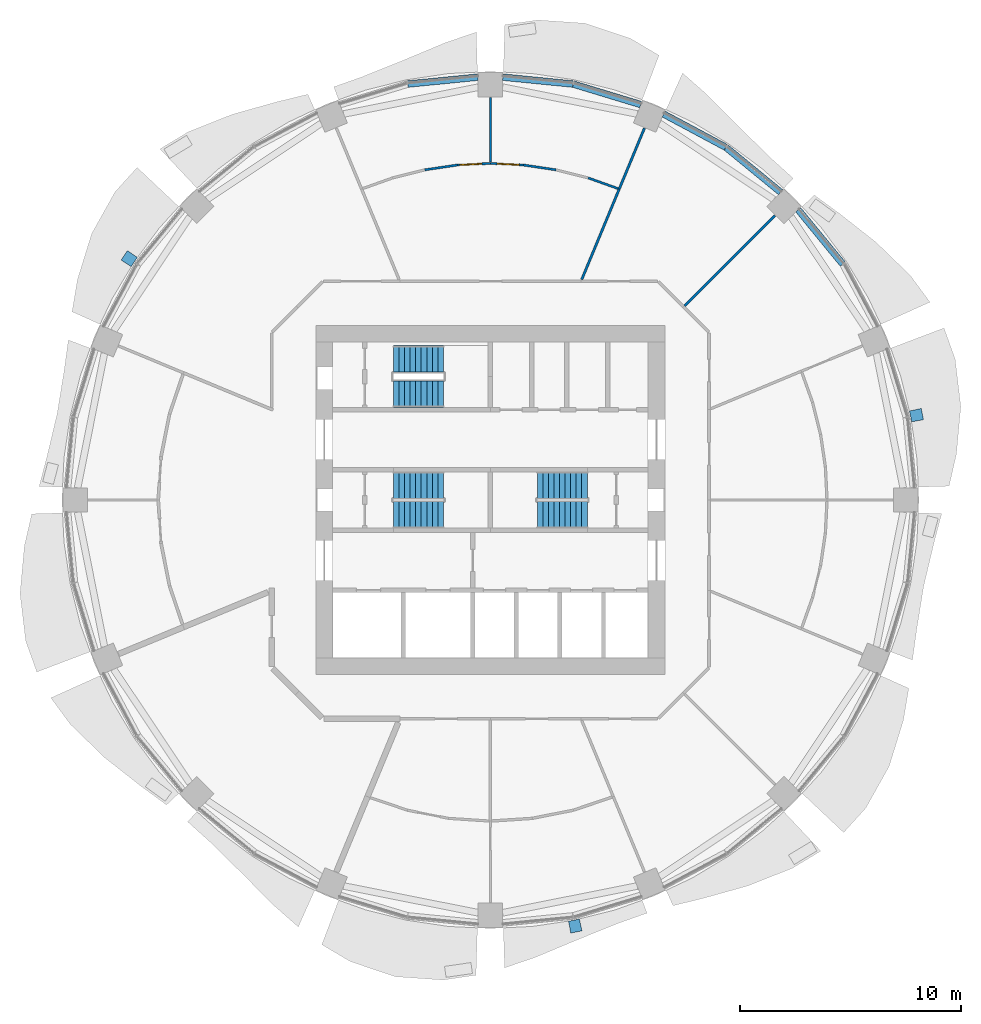
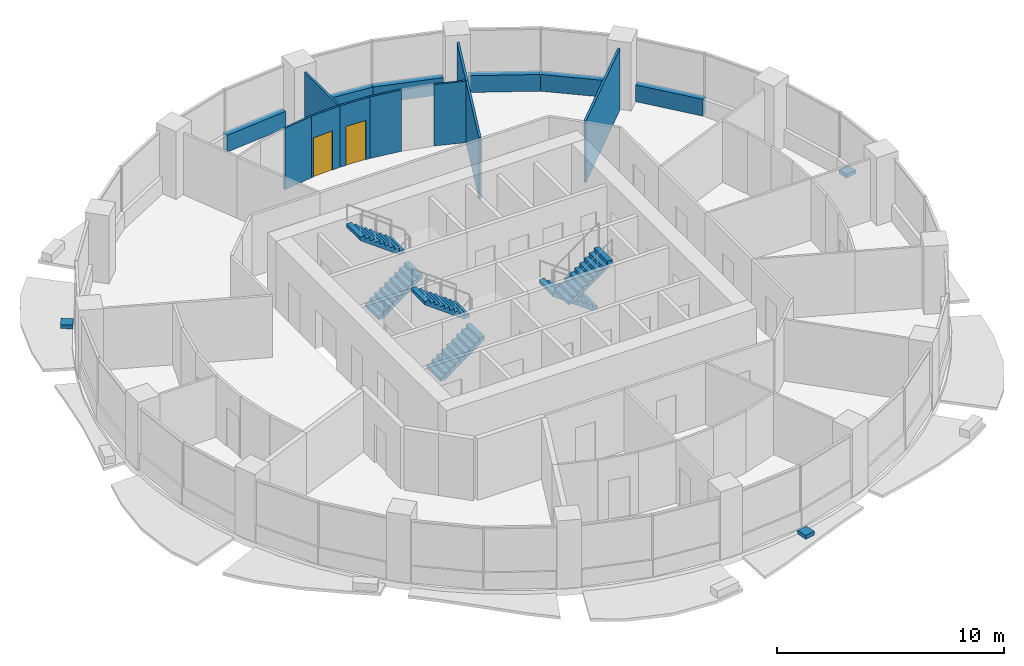
# One storey, part 11 of 15: 15 walls, 6 stair flights, 3 discrete accessories, 2 doors, 2 openings, 3 elements without a shape of their own.
"""IFC4 building model written with IfcOpenShell, lengths in metres."""

from ifc_helpers import new_model, si_unit, direction, frame, frame_2d, origin, place, context, subcontext, project, spatial, polyline, rectangle, outline, extrude, material, layer, layer_set, type_object, element, fill, aggregate, save


model = new_model("IFC4")

# Units and contexts
model_context = context("Model", 3, precision=1e-05, world=origin(), true_north=direction((0.0, 1.0)))
body_context = subcontext(model_context, "Body", "Model", "MODEL_VIEW")
ifc_project = project(units=[si_unit("LENGTHUNIT", "METRE"), si_unit("AREAUNIT", "SQUARE_METRE"), si_unit("VOLUMEUNIT", "CUBIC_METRE"), si_unit("PLANEANGLEUNIT", "RADIAN"), si_unit("MASSUNIT", "GRAM", prefix="KILO")], contexts=[model_context])

# Site, building, storey
site_placement = place(None, origin())
site = spatial("IfcSite", under=ifc_project, at=site_placement, CompositionType="ELEMENT")
building_placement = place(site_placement, origin())
building = spatial("IfcBuilding", under=site, at=building_placement, Name="Polderwave Tower", CompositionType="ELEMENT")
storey_placement = place(building_placement, frame((0.0, 0.0, 83.699951171875)))
storey = spatial("IfcBuildingStorey", under=building, at=storey_placement, Name="L21", CompositionType="ELEMENT", Elevation=83.699951171875)

# Walls
ifc_material_1 = material(Name="Concrete C50/60 (board-marked)", Category="concrete")
ifc_layer_1 = layer(ifc_material_1, 0.300048828125)
ifc_layer_set_1 = layer_set([ifc_layer_1], Name="Concrete spandrel upstand C50/60")
wall_type_1 = type_object("IfcWallType", Name="Concrete spandrel upstand C50/60", PredefinedType="SOLIDWALL", material=ifc_layer_set_1)
for number, where, z_axis, x_axis, name in (
    (1, (15.91259765625, 10.650634765625, 0.0), (0.0, 0.0, 1.0), (-0.634238779555, 0.773137226182, 0.0), "Spandrel L21 2b"),
    (2, (13.103515625, 13.900390625, 0.0), (0.0, 0.0, 1.0), (-0.773137226182, 0.634238779555, 0.0), "Spandrel L21 3a"),
):
    element("IfcWall", number, at=place(storey_placement, frame(where, z_axis=z_axis, x_axis=x_axis)), inside=storey, type_object=wall_type_1, Name=name, PredefinedType="SOLIDWALL", context=body_context, shape_type="SweptSolid", body=[
        extrude(rectangle(XDim=3.172607421875, YDim=0.300048828125, at=frame_2d((1.58642578125, 0.0))), origin(), (0.0, 0.0, 1.0), 0.900146484375),
    ])
wall_1_placement = place(storey_placement, frame((10.625732421875, 15.92919921875, 0.0), z_axis=(0.0, 0.0, 1.0), x_axis=(-0.88188808669, 0.471458802606, 0.0)))
element("IfcWall", 3, at=wall_1_placement, inside=storey, type_object=wall_type_1, Name="Spandrel L21 3b", PredefinedType="SOLIDWALL", context=body_context, shape_type="SweptSolid", body=[
    extrude(rectangle(XDim=3.17236328125, YDim=0.300048828125, at=frame_2d((1.586181640625, 0.0))), origin(), (0.0, 0.0, 1.0), 0.900146484375),
])
wall_2_placement = place(storey_placement, frame((6.78662109375, 17.8564453125, 0.0), z_axis=(0.0, 0.0, 1.0), x_axis=(-0.956927923582, 0.290325591482, 0.0)))
element("IfcWall", 4, at=wall_2_placement, inside=storey, type_object=wall_type_1, Name="Spandrel L21 4a", PredefinedType="SOLIDWALL", context=body_context, shape_type="SweptSolid", body=[
    extrude(rectangle(XDim=3.1728515625, YDim=0.300048828125, at=frame_2d((1.58642578125, 0.0))), origin(), (0.0, 0.0, 1.0), 0.900146484375),
])
for number, where, z_axis, x_axis, name in (
    (5, (3.72119140625, 18.783447265625, 0.0), (0.0, 0.0, 1.0), (-0.995182405567, 0.098040704044, 0.0), "Spandrel L21 4b"),
    (6, (-0.56396484375, 19.094482421875, 0.0), (0.0, 0.0, 1.0), (-0.995182405567, -0.098040704044, 0.0), "Spandrel L21 5a"),
):
    element("IfcWall", number, at=place(storey_placement, frame(where, z_axis=z_axis, x_axis=x_axis)), inside=storey, type_object=wall_type_1, Name=name, PredefinedType="SOLIDWALL", context=body_context, shape_type="SweptSolid", body=[
        extrude(rectangle(XDim=3.172607421875, YDim=0.300048828125, at=frame_2d((1.58642578125, 0.0))), origin(), (0.0, 0.0, 1.0), 0.900146484375),
    ])

# Wall, opening, door
ifc_material_2 = material(Name="Plasterboard on steel studs", Category="steel")
ifc_layer_2 = layer(ifc_material_2, 0.10009765625)
ifc_layer_set_2 = layer_set([ifc_layer_2], Name="Partition 100 mm plasterboard on steel studs")
wall_type_2 = type_object("IfcWallType", Name="Partition 100 mm plasterboard on steel studs", PredefinedType="PARTITIONING", material=ifc_layer_set_2)
wall_3_placement = place(storey_placement, frame((0.0, 15.199951171875, 0.0), z_axis=(0.0, 0.0, 1.0), x_axis=(0.998797711146, -0.049021752402, 0.0)))
wall_3 = element("IfcWall", 7, at=wall_3_placement, inside=storey, type_object=wall_type_2, Name="IN-L21-W033", PredefinedType="PARTITIONING", context=body_context, shape_type="SweptSolid", body=[
    extrude(rectangle(XDim=1.489013671875, YDim=0.10009765625, at=frame_2d((0.74462890625, 0.0))), origin(), (0.0, 0.0, 1.0), 3.300048828125),
])
opening_1_placement = place(wall_3_placement, frame((0.300048828125, 0.0, 0.0)))
opening_1 = element("IfcOpeningElement", 8, at=opening_1_placement, cuts=wall_3, Name="Opening L21-D62", PredefinedType="OPENING", context=body_context, shape_type="SweptSolid", body=[
    extrude(rectangle(XDim=1.0, YDim=2.10009765625, at=frame_2d((0.5, 1.050048828125))), frame((0.0, 0.06005859375, 0.0), z_axis=(0.0, -1.0, 0.0), x_axis=(1.0, 0.0, 0.0)), (0.0, 0.0, 1.0), 0.1201171875),
])
ifc_material_3 = material(Name="Timber veneer door leaf", Category="wood")
door_type = type_object("IfcDoorType", Name="Single door 1000 x 2100", OperationType="NOTDEFINED", PredefinedType="DOOR", material=ifc_material_3)
door_1_placement = place(opening_1_placement, origin())
door_1 = element("IfcDoor", 9, at=door_1_placement, inside=storey, type_object=door_type, Name="Door L21-D62", OperationType="SINGLE_SWING_RIGHT", OverallHeight=2.10009765625, OverallWidth=1.0, PredefinedType="DOOR", context=body_context, shape_type="SweptSolid", body=[
    extrude(rectangle(XDim=1.0, YDim=2.10009765625, at=frame_2d((0.5, 1.050048828125))), frame((0.0, 0.02490234375, 0.0), z_axis=(0.0, -1.0, 0.0), x_axis=(1.0, 0.0, 0.0)), (0.0, 0.0, 1.0), 0.050048828125),
])
fill(opening_1, door_1)

# Walls
wall_4_placement = place(storey_placement, frame((2.962890625, 14.908203125, 0.0), z_axis=(0.0, 0.0, 1.0), x_axis=(-0.989166402168, 0.146798599525, 0.0)))
element("IfcWall", 10, at=wall_4_placement, inside=storey, type_object=wall_type_2, Name="IN-L21-W034", PredefinedType="PARTITIONING", context=body_context, shape_type="SweptSolid", body=[
    extrude(rectangle(XDim=1.48681640625, YDim=0.10009765625, at=frame_2d((0.743408203125, 0.0))), origin(), (0.0, 0.0, 1.0), 3.300048828125),
])
wall_5_placement = place(storey_placement, frame((5.7626953125, 14.0625, 0.0), z_axis=(0.0, 0.0, 1.0), x_axis=(-0.941587499657, 0.33676843749, 0.0)))
element("IfcWall", 11, at=wall_5_placement, inside=storey, type_object=wall_type_2, Name="IN-L21-W036", PredefinedType="PARTITIONING", context=body_context, shape_type="SweptSolid", body=[
    extrude(rectangle(XDim=1.431884765625, YDim=0.10009765625, at=frame_2d((0.7158203125, 0.0))), origin(), (0.0, 0.0, 1.0), 3.300048828125),
])
wall_6_placement = place(storey_placement, frame((0.0, 15.25244140625, 0.0), z_axis=(0.0, 0.0, 1.0), x_axis=(0.0, 1.0, 0.0)))
element("IfcWall", 12, at=wall_6_placement, inside=storey, type_object=wall_type_2, Name="IN-L21-W037", PredefinedType="PARTITIONING", context=body_context, shape_type="SweptSolid", body=[
    extrude(rectangle(XDim=2.91748046875, YDim=0.10009765625, at=frame_2d((1.458740234375, 0.0))), origin(), (0.0, 0.0, 1.0), 3.300048828125),
])
wall_7_placement = place(storey_placement, frame((-2.962890625, 14.908203125, 0.0), z_axis=(0.0, 0.0, 1.0), x_axis=(0.989166402168, 0.146798599525, 0.0)))
element("IfcWall", 13, at=wall_7_placement, inside=storey, type_object=wall_type_2, Name="IN-L21-W040", PredefinedType="PARTITIONING", context=body_context, shape_type="SweptSolid", body=[
    extrude(rectangle(XDim=1.48681640625, YDim=0.10009765625, at=frame_2d((0.743408203125, 0.0))), origin(), (0.0, 0.0, 1.0), 3.300048828125),
])

# Wall, opening, door
wall_8_placement = place(storey_placement, frame((-1.4873046875, 15.126953125, 0.0), z_axis=(0.0, 0.0, 1.0), x_axis=(0.998797711146, 0.049021752402, 0.0)))
wall_8 = element("IfcWall", 14, at=wall_8_placement, inside=storey, type_object=wall_type_2, Name="IN-L21-W041", PredefinedType="PARTITIONING", context=body_context, shape_type="SweptSolid", body=[
    extrude(rectangle(XDim=1.489013671875, YDim=0.10009765625, at=frame_2d((0.74462890625, 0.0))), origin(), (0.0, 0.0, 1.0), 3.300048828125),
])
opening_2_placement = place(wall_8_placement, frame((0.10009765625, 0.0, 0.0)))
opening_2 = element("IfcOpeningElement", 15, at=opening_2_placement, cuts=wall_8, Name="Opening L21-D63", PredefinedType="OPENING", context=body_context, shape_type="SweptSolid", body=[
    extrude(rectangle(XDim=1.0, YDim=2.10009765625, at=frame_2d((0.5, 1.050048828125))), frame((0.0, 0.06005859375, 0.0), z_axis=(0.0, -1.0, 0.0), x_axis=(1.0, 0.0, 0.0)), (0.0, 0.0, 1.0), 0.1201171875),
])
door_2_placement = place(opening_2_placement, origin())
door_2 = element("IfcDoor", 16, at=door_2_placement, inside=storey, type_object=door_type, Name="Door L21-D63", OperationType="SINGLE_SWING_LEFT", OverallHeight=2.10009765625, OverallWidth=1.0, PredefinedType="DOOR", context=body_context, shape_type="SweptSolid", body=[
    extrude(rectangle(XDim=1.0, YDim=2.10009765625, at=frame_2d((0.5, 1.050048828125))), frame((0.0, 0.02490234375, 0.0), z_axis=(0.0, -1.0, 0.0), x_axis=(1.0, 0.0, 0.0)), (0.0, 0.0, 1.0), 0.050048828125),
])
fill(opening_2, door_2)

# Walls
ifc_material_4 = material(Name="Acoustic double plasterboard on steel studs", Category="steel")
ifc_layer_3 = layer(ifc_material_4, 0.110107421875)
ifc_layer_set_3 = layer_set([ifc_layer_3], Name="Partition 110 mm acoustic double board")
wall_type_3 = type_object("IfcWallType", Name="Partition 110 mm acoustic double board", PredefinedType="PARTITIONING", material=ifc_layer_set_3)
wall_9_placement = place(storey_placement, frame((12.84814453125, 12.84814453125, 0.0), z_axis=(0.0, 0.0, 1.0), x_axis=(-0.707106781187, -0.707106781187, 0.0)))
element("IfcWall", 17, at=wall_9_placement, inside=storey, type_object=wall_type_3, Name="IN-L21-W030", PredefinedType="PARTITIONING", context=body_context, shape_type="SweptSolid", body=[
    extrude(rectangle(XDim=5.772216796875, YDim=0.110107421875, at=frame_2d((2.88623046875, 0.0))), origin(), (0.0, 0.0, 1.0), 3.300048828125),
])
wall_10_placement = place(storey_placement, frame((5.81689453125, 14.04296875, 0.0), z_axis=(0.0, 0.0, 1.0), x_axis=(0.382659139036, 0.923889594764, 0.0)))
element("IfcWall", 18, at=wall_10_placement, inside=storey, type_object=wall_type_3, Name="IN-L21-W031", PredefinedType="PARTITIONING", context=body_context, shape_type="SweptSolid", body=[
    extrude(rectangle(XDim=2.969970703125, YDim=0.110107421875, at=frame_2d((1.48486328125, 0.0))), origin(), (0.0, 0.0, 1.0), 3.300048828125),
])
wall_11_placement = place(storey_placement, frame((4.12451171875, 9.95751953125, 0.0), z_axis=(0.0, 0.0, 1.0), x_axis=(0.382709362011, 0.923868791674, 0.0)))
element("IfcWall", 19, at=wall_11_placement, inside=storey, type_object=wall_type_3, Name="IN-L21-W032", PredefinedType="PARTITIONING", context=body_context, shape_type="SweptSolid", body=[
    extrude(rectangle(XDim=4.422119140625, YDim=0.110107421875, at=frame_2d((2.2109375, 0.0))), origin(), (0.0, 0.0, 1.0), 3.300048828125),
])

# Stair, stair flights
ifc_material_5 = material(Name="Concrete C40/50", Category="concrete")
stair_type = type_object("IfcStairType", Name="Exit stair 1200 x 20 risers", PredefinedType="HALF_TURN_STAIR", material=ifc_material_5)
stair_1_placement = place(storey_placement, origin())
stair_1 = element("IfcStair", 20, at=stair_1_placement, inside=storey, type_object=stair_type, Name="L21 Exit stair A", PredefinedType="HALF_TURN_STAIR")
stair_flight_type = type_object("IfcStairFlightType", Name="Stair flight 1200", PredefinedType="STRAIGHT", material=ifc_material_5)
stair_flight_1_placement = place(storey_placement, frame((-4.3740234375, -0.675048828125, 0.0), z_axis=(0.0, 0.0, 1.0), x_axis=(1.0, 0.0, 0.0)))
stair_flight_1 = element("IfcStairFlight", 21, at=stair_flight_1_placement, type_object=stair_flight_type, Name="ST-A flight 1", NumberOfRisers=10, NumberOfTreads=9, PredefinedType="STRAIGHT", RiserHeight=0.1825, TreadLength=0.25, context=body_context, shape_type="SweptSolid", body=[
    extrude(outline(polyline([(0.0, 0.0), (0.0, 0.1826171875), (0.25, 0.1826171875), (0.25, 0.364990234375), (0.5, 0.364990234375), (0.5, 0.547607421875), (0.75, 0.547607421875), (0.75, 0.72998046875), (1.0, 0.72998046875), (1.0, 0.91259765625), (1.25, 0.91259765625), (1.25, 1.094970703125), (1.5, 1.094970703125), (1.5, 1.277587890625), (1.75, 1.277587890625), (1.75, 1.4599609375), (2.0, 1.4599609375), (2.0, 1.642578125), (2.25, 1.642578125), (2.25, 1.824951171875), (2.25, 1.456787109375), (0.254150390625, 0.0), (0.0, 0.0)])), frame((0.0, 0.60009765625, 0.0), z_axis=(0.0, -1.0, 0.0), x_axis=(1.0, 0.0, 0.0)), (0.0, 0.0, 1.0), 1.199951171875),
])
stair_flight_2_placement = place(storey_placement, frame((-2.1240234375, 0.675048828125, 1.824951171875), z_axis=(0.0, 0.0, 1.0), x_axis=(-1.0, 0.0, 0.0)))
stair_flight_2 = element("IfcStairFlight", 22, at=stair_flight_2_placement, type_object=stair_flight_type, Name="ST-A flight 2", NumberOfRisers=10, NumberOfTreads=9, PredefinedType="STRAIGHT", RiserHeight=0.1825, TreadLength=0.25, context=body_context, shape_type="SweptSolid", body=[
    extrude(outline(polyline([(0.0, 0.0), (0.0, 0.1826171875), (0.25, 0.1826171875), (0.25, 0.364990234375), (0.5, 0.364990234375), (0.5, 0.547607421875), (0.75, 0.547607421875), (0.75, 0.72998046875), (1.0, 0.72998046875), (1.0, 0.91259765625), (1.25, 0.91259765625), (1.25, 1.094970703125), (1.5, 1.094970703125), (1.5, 1.277587890625), (1.75, 1.277587890625), (1.75, 1.4599609375), (2.0, 1.4599609375), (2.0, 1.642578125), (2.25, 1.642578125), (2.25, 1.824951171875), (2.25, 1.456787109375), (0.254150390625, 0.0), (0.0, 0.0)])), frame((0.0, 0.60009765625, 0.0), z_axis=(0.0, -1.0, 0.0), x_axis=(1.0, 0.0, 0.0)), (0.0, 0.0, 1.0), 1.199951171875),
])
aggregate(stair_1, [stair_flight_1, stair_flight_2])

stair_2_placement = place(storey_placement, origin())
stair_2 = element("IfcStair", 23, at=stair_2_placement, inside=storey, type_object=stair_type, Name="L21 Exit stair B", PredefinedType="HALF_TURN_STAIR")
stair_flight_3_placement = place(storey_placement, frame((4.3740234375, 0.675048828125, 0.0), z_axis=(0.0, 0.0, 1.0), x_axis=(-1.0, 0.0, 0.0)))
stair_flight_3 = element("IfcStairFlight", 24, at=stair_flight_3_placement, type_object=stair_flight_type, Name="ST-B flight 1", NumberOfRisers=10, NumberOfTreads=9, PredefinedType="STRAIGHT", RiserHeight=0.1825, TreadLength=0.25, context=body_context, shape_type="SweptSolid", body=[
    extrude(outline(polyline([(0.0, 0.0), (0.0, 0.1826171875), (0.25, 0.1826171875), (0.25, 0.364990234375), (0.5, 0.364990234375), (0.5, 0.547607421875), (0.75, 0.547607421875), (0.75, 0.72998046875), (1.0, 0.72998046875), (1.0, 0.91259765625), (1.25, 0.91259765625), (1.25, 1.094970703125), (1.5, 1.094970703125), (1.5, 1.277587890625), (1.75, 1.277587890625), (1.75, 1.4599609375), (2.0, 1.4599609375), (2.0, 1.642578125), (2.25, 1.642578125), (2.25, 1.824951171875), (2.25, 1.456787109375), (0.254150390625, 0.0), (0.0, 0.0)])), frame((0.0, 0.60009765625, 0.0), z_axis=(0.0, -1.0, 0.0), x_axis=(1.0, 0.0, 0.0)), (0.0, 0.0, 1.0), 1.199951171875),
])
stair_flight_4_placement = place(storey_placement, frame((2.1240234375, -0.675048828125, 1.824951171875), z_axis=(0.0, 0.0, 1.0), x_axis=(1.0, 0.0, 0.0)))
stair_flight_4 = element("IfcStairFlight", 25, at=stair_flight_4_placement, type_object=stair_flight_type, Name="ST-B flight 2", NumberOfRisers=10, NumberOfTreads=9, PredefinedType="STRAIGHT", RiserHeight=0.1825, TreadLength=0.25, context=body_context, shape_type="SweptSolid", body=[
    extrude(outline(polyline([(0.0, 0.0), (0.0, 0.1826171875), (0.25, 0.1826171875), (0.25, 0.364990234375), (0.5, 0.364990234375), (0.5, 0.547607421875), (0.75, 0.547607421875), (0.75, 0.72998046875), (1.0, 0.72998046875), (1.0, 0.91259765625), (1.25, 0.91259765625), (1.25, 1.094970703125), (1.5, 1.094970703125), (1.5, 1.277587890625), (1.75, 1.277587890625), (1.75, 1.4599609375), (2.0, 1.4599609375), (2.0, 1.642578125), (2.25, 1.642578125), (2.25, 1.824951171875), (2.25, 1.456787109375), (0.254150390625, 0.0), (0.0, 0.0)])), frame((0.0, 0.60009765625, 0.0), z_axis=(0.0, -1.0, 0.0), x_axis=(1.0, 0.0, 0.0)), (0.0, 0.0, 1.0), 1.199951171875),
])
aggregate(stair_2, [stair_flight_3, stair_flight_4])

stair_3_placement = place(storey_placement, origin())
stair_3 = element("IfcStair", 26, at=stair_3_placement, inside=storey, type_object=stair_type, Name="L21 Exit stair C", PredefinedType="HALF_TURN_STAIR")
stair_flight_5_placement = place(storey_placement, frame((-4.3740234375, 4.77392578125, 0.0), z_axis=(0.0, 0.0, 1.0), x_axis=(1.0, 0.0, 0.0)))
stair_flight_5 = element("IfcStairFlight", 27, at=stair_flight_5_placement, type_object=stair_flight_type, Name="ST-C flight 1", NumberOfRisers=10, NumberOfTreads=9, PredefinedType="STRAIGHT", RiserHeight=0.1825, TreadLength=0.25, context=body_context, shape_type="SweptSolid", body=[
    extrude(outline(polyline([(0.0, 0.0), (0.0, 0.1826171875), (0.25, 0.1826171875), (0.25, 0.364990234375), (0.5, 0.364990234375), (0.5, 0.547607421875), (0.75, 0.547607421875), (0.75, 0.72998046875), (1.0, 0.72998046875), (1.0, 0.91259765625), (1.25, 0.91259765625), (1.25, 1.094970703125), (1.5, 1.094970703125), (1.5, 1.277587890625), (1.75, 1.277587890625), (1.75, 1.4599609375), (2.0, 1.4599609375), (2.0, 1.642578125), (2.25, 1.642578125), (2.25, 1.824951171875), (2.25, 1.456787109375), (0.254150390625, 0.0), (0.0, 0.0)])), frame((0.0, 0.60009765625, 0.0), z_axis=(0.0, -1.0, 0.0), x_axis=(1.0, 0.0, 0.0)), (0.0, 0.0, 1.0), 1.199951171875),
])
stair_flight_6_placement = place(storey_placement, frame((-2.1240234375, 6.3740234375, 1.824951171875), z_axis=(0.0, 0.0, 1.0), x_axis=(-1.0, 0.0, 0.0)))
stair_flight_6 = element("IfcStairFlight", 28, at=stair_flight_6_placement, type_object=stair_flight_type, Name="ST-C flight 2", NumberOfRisers=10, NumberOfTreads=9, PredefinedType="STRAIGHT", RiserHeight=0.1825, TreadLength=0.25, context=body_context, shape_type="SweptSolid", body=[
    extrude(outline(polyline([(0.0, 0.0), (0.0, 0.1826171875), (0.25, 0.1826171875), (0.25, 0.364990234375), (0.5, 0.364990234375), (0.5, 0.547607421875), (0.75, 0.547607421875), (0.75, 0.72998046875), (1.0, 0.72998046875), (1.0, 0.91259765625), (1.25, 0.91259765625), (1.25, 1.094970703125), (1.5, 1.094970703125), (1.5, 1.277587890625), (1.75, 1.277587890625), (1.75, 1.4599609375), (2.0, 1.4599609375), (2.0, 1.642578125), (2.25, 1.642578125), (2.25, 1.824951171875), (2.25, 1.456787109375), (0.254150390625, 0.0), (0.0, 0.0)])), frame((0.0, 0.60009765625, 0.0), z_axis=(0.0, -1.0, 0.0), x_axis=(1.0, 0.0, 0.0)), (0.0, 0.0, 1.0), 1.199951171875),
])
aggregate(stair_3, [stair_flight_5, stair_flight_6])

# Discrete accessories
ifc_material_6 = material(Name="Steel S355", Category="steel")
discrete_accessory_type = type_object("IfcDiscreteAccessoryType", Name="Band bracket pad", PredefinedType="BRACKET", material=ifc_material_6)
discrete_accessory_1_placement = place(storey_placement, frame((0.0, 0.0, -0.199951171875)))
element("IfcDiscreteAccessory", 29, at=discrete_accessory_1_placement, inside=storey, type_object=discrete_accessory_type, Name="Band bracket L21 1", PredefinedType="BRACKET", context=body_context, shape_type="SweptSolid", body=[
    extrude(outline(polyline([(19.014892578125, 3.527587890625), (18.978271484375, 3.77490234375), (18.91748046875, 4.017578125), (19.45556640625, 4.1318359375), (19.5556640625, 3.6279296875), (19.014892578125, 3.527587890625)])), origin(), (0.0, 0.0, 1.0), 0.199951171875),
])
discrete_accessory_2_placement = place(storey_placement, frame((0.0, 0.0, -0.199951171875)))
element("IfcDiscreteAccessory", 30, at=discrete_accessory_2_placement, inside=storey, type_object=discrete_accessory_type, Name="Band bracket L21 7", PredefinedType="BRACKET", context=body_context, shape_type="SweptSolid", body=[
    extrude(outline(polyline([(-15.93994140625, 10.951171875), (-16.0888671875, 10.750244140625), (-16.217529296875, 10.535888671875), (-16.6787109375, 10.83544921875), (-16.393310546875, 11.262451171875), (-15.93994140625, 10.951171875)])), origin(), (0.0, 0.0, 1.0), 0.199951171875),
])
discrete_accessory_3_placement = place(storey_placement, frame((0.0, 0.0, -0.199951171875)))
element("IfcDiscreteAccessory", 31, at=discrete_accessory_3_placement, inside=storey, type_object=discrete_accessory_type, Name="Band bracket L21 13", PredefinedType="BRACKET", context=body_context, shape_type="SweptSolid", body=[
    extrude(outline(polyline([(3.527587890625, -19.014892578125), (3.77490234375, -18.978271484375), (4.017578125, -18.91748046875), (4.1318359375, -19.45556640625), (3.6279296875, -19.5556640625), (3.527587890625, -19.014892578125)])), origin(), (0.0, 0.0, 1.0), 0.199951171875),
])

save(model, "model.ifc")
